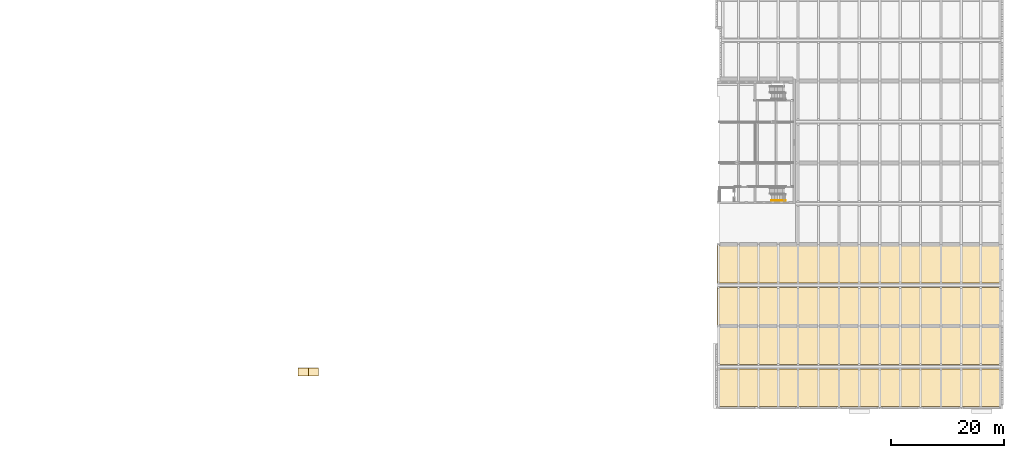
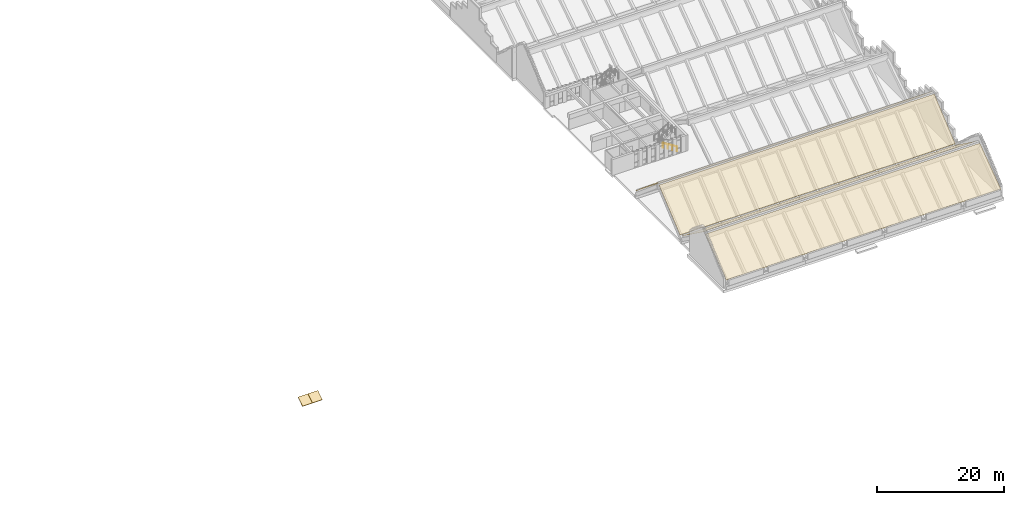
# One storey, part 29 of 31: 6 coverings, 1 railing.
"""IFC4 building model written with IfcOpenShell, lengths in metres."""

from ifc_helpers import new_model, si_unit, direction, frame, origin, origin_2d, place, context, subcontext, project, spatial, polyline, circle, outline, extrude, material, layer, layer_set, type_object, element, save


model = new_model("IFC4")

# Units and contexts
model_context = context("Model", 3, precision=1e-05, world=origin(), true_north=direction((0.0, 1.0)))
body_context = subcontext(model_context, "Body", "Model", "MODEL_VIEW")
ifc_project = project(units=[si_unit("LENGTHUNIT", "METRE"), si_unit("AREAUNIT", "SQUARE_METRE"), si_unit("VOLUMEUNIT", "CUBIC_METRE"), si_unit("PLANEANGLEUNIT", "RADIAN"), si_unit("MASSUNIT", "GRAM", prefix="KILO")], contexts=[model_context])

# Site, building, storey
site_placement = place(None, origin())
site = spatial("IfcSite", under=ifc_project, at=site_placement, CompositionType="ELEMENT")
building_placement = place(site_placement, origin())
building = spatial("IfcBuilding", under=site, at=building_placement, Name="Vermilion Court Aquatics Centre", CompositionType="ELEMENT")
storey_placement = place(building_placement, frame((0.0, 0.0, 16.5)))
storey = spatial("IfcBuildingStorey", under=building, at=storey_placement, Name="L03", CompositionType="ELEMENT", Elevation=16.5)

# Railing
ifc_material_1 = material(Name="Steel ASTM A992 Grade 50", Category="steel")
railing_type = type_object("IfcRailingType", Name="Diving Tower stair handrail 900", PredefinedType="HANDRAIL", material=ifc_material_1)
railing_placement = place(storey_placement, frame((156.199951171875, 36.550048828125, 0.169921875)))
element("IfcRailing", 1, at=railing_placement, inside=storey, type_object=railing_type, Name="Stair 1 handrail wall L03", PredefinedType="HANDRAIL", context=body_context, shape_type="SweptSolid", body=[
    extrude(circle(Radius=0.02392578125, at=origin_2d()), frame((0.0, 0.0, 0.8759765625), z_axis=(-0.85478489116, 0.0, 0.518982456201), x_axis=(0.0, -1.0, 0.0)), (0.0, 0.0, 1.0), 2.9482421875),
    extrude(circle(Radius=0.02099609375, at=origin_2d()), origin(), (0.0, 0.0, 1.0), 0.851806640625),
    extrude(circle(Radius=0.02099609375, at=origin_2d()), frame((-0.840087890625, 0.0, 0.510009765625)), (0.0, 0.0, 1.0), 0.851806640625),
    extrude(circle(Radius=0.02099609375, at=origin_2d()), frame((-1.679931640625, 0.0, 1.02001953125)), (0.0, 0.0, 1.0), 0.851806640625),
    extrude(circle(Radius=0.02099609375, at=origin_2d()), frame((-2.52001953125, 0.0, 1.530029296875)), (0.0, 0.0, 1.0), 0.851806640625),
])

# Coverings
ifc_material_2 = material(Name="Terracotta cladding", Category="masonry")
ifc_layer_1 = layer(ifc_material_2, 0.0400390625)
ifc_layer_set_1 = layer_set([ifc_layer_1], Name="Range roof tile covering 40")
covering_type_1 = type_object("IfcCoveringType", Name="Range roof tile covering 40", PredefinedType="ROOFING", material=ifc_layer_set_1)
covering_1_placement = place(storey_placement, frame((144.199951171875, 0.203125, 1.591064453125), z_axis=(0.0, -0.587776314388, 0.809023488067), x_axis=(1.0, 0.0, 0.0)))
element("IfcCovering", 2, at=covering_1_placement, inside=storey, type_object=covering_type_1, Name="Range roof tile covering", PredefinedType="ROOFING", context=body_context, shape_type="SweptSolid", body=[
    extrude(outline(polyline([(0.0, 0.0), (50.0, 0.0), (50.0, 8.188884621667878), (0.0, 8.188884621667878), (0.0, 0.0)])), origin(), (0.0, -0.587776314388, -0.809023488067), 0.04931640625),
])
covering_2_placement = place(storey_placement, frame((144.199951171875, 14.197021484375, 1.591064453125), z_axis=(0.0, 0.587776314388, 0.809023488067), x_axis=(1.0, 0.0, 0.0)))
element("IfcCovering", 3, at=covering_2_placement, inside=storey, type_object=covering_type_1, Name="Range roof tile covering", PredefinedType="ROOFING", context=body_context, shape_type="SweptSolid", body=[
    extrude(outline(polyline([(0.0, 0.0), (50.0, 0.0), (50.0, -8.188884621667878), (0.0, -8.188884621667878), (0.0, 0.0)])), origin(), (0.0, 0.587776314388, -0.809023488067), 0.04931640625),
])
covering_3_placement = place(storey_placement, frame((144.110107421875, 14.58935546875, 1.5966796875), z_axis=(0.0, -0.642774230878, 0.766055669073), x_axis=(1.0, 0.0, 0.0)))
element("IfcCovering", 4, at=covering_3_placement, inside=storey, type_object=covering_type_1, Name="Range roof tile covering", PredefinedType="ROOFING", context=body_context, shape_type="SweptSolid", body=[
    extrude(outline(polyline([(0.0, 0.0), (50.08984375, 0.0), (50.08984375, 8.64819655733195), (0.0, 8.64819655733195), (0.0, 0.0)])), origin(), (0.0, -0.642774230878, -0.766055669073), 0.05224609375),
])
covering_4_placement = place(storey_placement, frame((144.110107421875, 28.610595703125, 1.5966796875), z_axis=(0.0, 0.642774230878, 0.766055669073), x_axis=(1.0, 0.0, 0.0)))
element("IfcCovering", 5, at=covering_4_placement, inside=storey, type_object=covering_type_1, Name="Range roof tile covering", PredefinedType="ROOFING", context=body_context, shape_type="SweptSolid", body=[
    extrude(outline(polyline([(0.0, 0.0), (50.08984375, 0.0), (50.08984375, -8.64819655733195), (0.0, -8.64819655733195), (0.0, 0.0)])), origin(), (0.0, 0.642774230878, -0.766055669073), 0.05224609375),
])
ifc_material_3 = material(Name="Terracotta cladding", Category="masonry")
ifc_layer_2 = layer(ifc_material_3, 0.0400390625)
ifc_layer_set_2 = layer_set([ifc_layer_2], Name="South roof tile covering 40")
covering_type_2 = type_object("IfcCoveringType", Name="South roof tile covering 40", PredefinedType="ROOFING", material=ifc_layer_set_2)
for number, where, z_axis, x_axis, name in (
    (6, (70.199951171875, 7.0, 0.867919921875), (0.0, -0.544772430925, 0.838583924544), (1.0, 0.0, 0.0), "South roof tile covering"),
    (7, (72.0, 7.0, 0.867919921875), (0.0, -0.544772430925, 0.838583924544), (1.0, 0.0, 0.0), "South roof tile covering"),
):
    element("IfcCovering", number, at=place(storey_placement, frame(where, z_axis=z_axis, x_axis=x_axis)), inside=storey, type_object=covering_type_2, Name=name, PredefinedType="ROOFING", context=body_context, shape_type="SweptSolid", body=[
        extrude(outline(polyline([(0.0, 0.0), (1.800048828125, 0.0), (1.800048828125, -1.669364630989369), (0.0, -1.669364630989369), (0.0, 0.0)])), origin(), (0.0, -0.544772430925, -0.838583924544), 0.047607421875),
    ])

save(model, "model.ifc")
